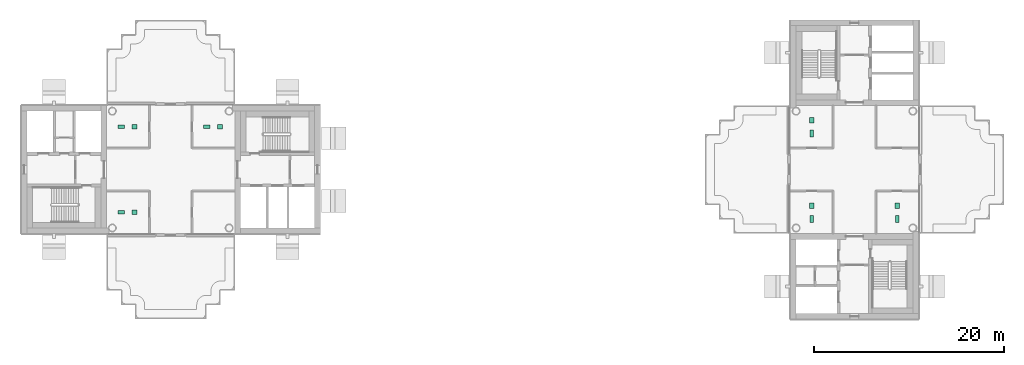
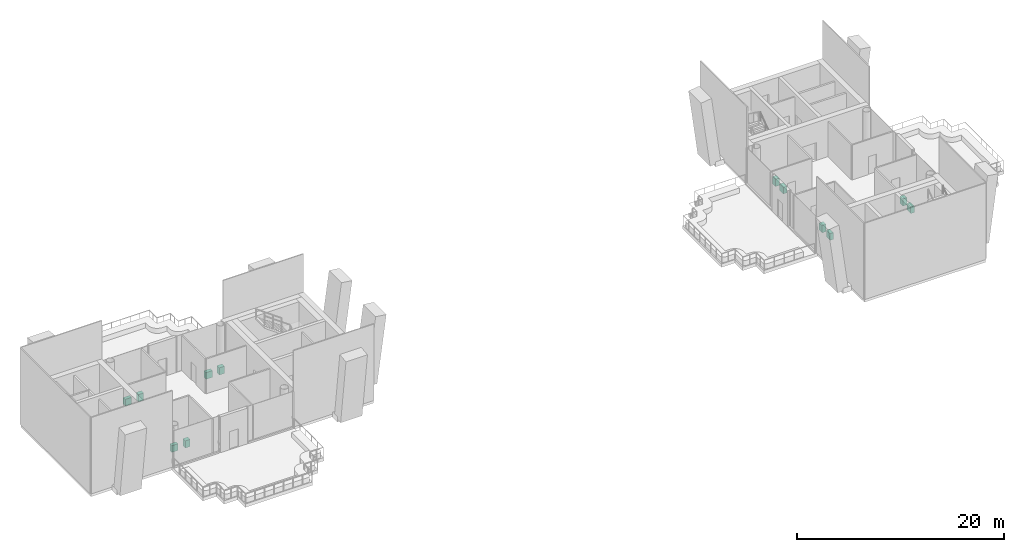
# One storey, part 17 of 17: 12 sanitary terminals.
"""IFC4 building model written with IfcOpenShell, lengths in metres."""

import ifcopenshell
import ifcopenshell.guid

model = None  # the IFC model being written
_history = None  # IfcOwnerHistory: only IFC2X3 demands one
_inside = {}  # id of a spatial element -> (the spatial element, [elements in it])
_under = {}  # id of a project, library or spatial element -> (it, [spatial elements below it])
_declared = {}  # id of a project -> (the project, [libraries it declares])
_typed = {}  # id of a type object -> (the type object, [elements of that type])
_made_of = {}  # id of a material, layer set ... -> (it, [elements and type objects made of it])


def new_model(schema):
    """Start an empty IFC model of exactly this schema.

    Asked for "IFC4X3", IfcOpenShell would pick the latest addendum, in which some entities
    have other attributes; the version numbers below select the first issue.
    IFC2X3 requires an IfcOwnerHistory on every rooted entity: one is made here for all.
    """
    global model, _history
    if schema == "IFC4X3":
        model = ifcopenshell.file(schema_version=(4, 3, 0, 0))
    else:
        model = ifcopenshell.file(schema=schema)
    _inside.clear()
    _under.clear()
    _declared.clear()
    _typed.clear()
    _made_of.clear()
    _history = None
    if model.schema == "IFC2X3":
        org = make("IfcOrganization", Name="unknown")
        user = make(
            "IfcPersonAndOrganization",
            ThePerson=make("IfcPerson", FamilyName="unknown"),
            TheOrganization=org,
        )
        app = make(
            "IfcApplication",
            ApplicationDeveloper=org,
            Version="unknown",
            ApplicationFullName="unknown",
            ApplicationIdentifier="unknown",
        )
        _history = make(
            "IfcOwnerHistory",
            OwningUser=user,
            OwningApplication=app,
            ChangeAction="ADDED",
            CreationDate=0,
        )
    return model


def make(cls, **values):
    """One entity of the class cls with the attributes given. An attribute that is None is left unset."""
    return model.create_entity(
        cls, **{name: value for name, value in values.items() if value is not None}
    )


def rooted(cls, **values):
    """An entity with a GlobalId (a new one), such as an element, a storey or a relation."""
    return make(cls, GlobalId=ifcopenshell.guid.new(), OwnerHistory=_history, **values)


def si_unit(unit_type, name, prefix=None):
    """IfcSIUnit, for example si_unit("LENGTHUNIT", "METRE", prefix="MILLI")."""
    return make("IfcSIUnit", UnitType=unit_type, Prefix=prefix, Name=name)


def assignment(units):
    """IfcUnitAssignment: the units of a project."""
    return None if units is None else make("IfcUnitAssignment", Units=units)


def point(xyz):
    """IfcCartesianPoint."""
    return None if xyz is None else make("IfcCartesianPoint", Coordinates=xyz)


def direction(xyz):
    """IfcDirection."""
    return None if xyz is None else make("IfcDirection", DirectionRatios=xyz)


def frame(location, z_axis=None, x_axis=None):
    """IfcAxis2Placement3D, a coordinate frame: its origin and axes. An axis left out is left unset."""
    return make(
        "IfcAxis2Placement3D",
        Location=point(location),
        Axis=direction(z_axis),
        RefDirection=direction(x_axis),
    )


def frame_2d(location, x_axis=None):
    """IfcAxis2Placement2D, a coordinate frame in the plane: its origin and x axis."""
    return make(
        "IfcAxis2Placement2D", Location=point(location), RefDirection=direction(x_axis)
    )


def origin():
    """The frame at (0, 0, 0) with its axes left unset."""
    return frame((0.0, 0.0, 0.0))


def origin_2d():
    """The frame at (0, 0) in the plane with its x axis left unset."""
    return frame_2d((0.0, 0.0))


def place(relative_to, where):
    """IfcLocalPlacement: puts the frame where relative to a parent placement (None: the world)."""
    return make(
        "IfcLocalPlacement", PlacementRelTo=relative_to, RelativePlacement=where
    )


def context(
    kind, dimensions, precision=None, world=None, true_north=None, identifier=None
):
    """IfcGeometricRepresentationContext, for example the 3D "Model" context."""
    return make(
        "IfcGeometricRepresentationContext",
        ContextIdentifier=identifier,
        ContextType=kind,
        CoordinateSpaceDimension=dimensions,
        Precision=precision,
        WorldCoordinateSystem=world,
        TrueNorth=true_north,
    )


def subcontext(parent, identifier, kind, view, scale=None):
    """IfcGeometricRepresentationSubContext, for example "Body" below "Model"."""
    return make(
        "IfcGeometricRepresentationSubContext",
        ContextIdentifier=identifier,
        ContextType=kind,
        ParentContext=parent,
        TargetScale=scale,
        TargetView=view,
    )


def project(units=None, contexts=None):
    """IfcProject with its units and contexts."""
    return rooted(
        "IfcProject",
        Name="project",
        RepresentationContexts=contexts,
        UnitsInContext=assignment(units),
    )


def spatial(cls, under=None, at=None, **own):
    """A site, building, storey or space (cls), placed at a placement, below another one or the project."""
    s = rooted(cls, ObjectPlacement=at, **own)
    if under is not None:
        _under.setdefault(under.id(), (under, []))[1].append(s)
    return s


def profile(cls, at=None, kind="AREA", **sizes):
    """A parametric profile (cls). Its sizes go by their IFC names, for example OverallWidth=200.0."""
    return make(cls, ProfileType=kind, Position=at, **sizes)


def rectangle(**sizes):
    """IfcRectangleProfileDef."""
    return profile("IfcRectangleProfileDef", **sizes)


def extrude(swept, where, along, depth):
    """IfcExtrudedAreaSolid: the profile swept, set in the frame where, extruded along a direction by depth."""
    return make(
        "IfcExtrudedAreaSolid",
        SweptArea=swept,
        Position=where,
        ExtrudedDirection=direction(along),
        Depth=depth,
    )


def shape(context_of_items, identifier, shape_type, items):
    """IfcShapeRepresentation: the items that make up one representation, for example the "Body"."""
    return make(
        "IfcShapeRepresentation",
        ContextOfItems=context_of_items,
        RepresentationIdentifier=identifier,
        RepresentationType=shape_type,
        Items=items,
    )


def material(Name=None, Category=None):
    """IfcMaterial."""
    return make("IfcMaterial", Name=Name, Category=Category)


def made_of(thing, what):
    """Note that an element or type object is made of a material, layer set ...; save() writes the relation."""
    if what is not None:
        _made_of.setdefault(what.id(), (what, []))[1].append(thing)
    return thing


def type_object(cls, material=None, **own):
    """A type object (cls), such as IfcWallType, which elements share."""
    return made_of(rooted(cls, **own), material)


def element(
    cls,
    number,
    at=None,
    inside=None,
    cuts=None,
    type_object=None,
    material=None,
    context=None,
    identifier="Body",
    shape_type=None,
    held_by="IfcProductDefinitionShape",
    body=None,
    shapes=None,
    **own,
):
    """One element of the class cls, such as IfcWall. Its Tag is "e" and its number.

    at: its placement. inside: the storey or other place that contains it. cuts: it is an
    opening in that element (IfcRelVoidsElement). A single representation is given by context,
    identifier, shape_type and body (its items); several are given by shapes. held_by: the class
    of the entity that holds the representations. save() writes the other relations.
    """
    e = rooted(cls, Tag="e%d" % number, ObjectPlacement=at, **own)
    if body is not None:
        shapes = [shape(context, identifier, shape_type, body)]
    if shapes is not None:
        e.Representation = make(held_by, Representations=shapes)
    if inside is not None:
        _inside.setdefault(inside.id(), (inside, []))[1].append(e)
    if cuts is not None:
        rooted(
            "IfcRelVoidsElement", RelatingBuildingElement=cuts, RelatedOpeningElement=e
        )
    if type_object is not None:
        _typed.setdefault(type_object.id(), (type_object, []))[1].append(e)
    return made_of(e, material)


def aggregate(whole, parts):
    """IfcRelAggregates: a whole, such as a stair, and the parts it consists of."""
    return rooted("IfcRelAggregates", RelatingObject=whole, RelatedObjects=parts)


def save(model, path):
    """Write the relations noted so far, then the file.

    IfcRelAggregates (storeys below a building ...), IfcRelContainedInSpatialStructure (elements
    in a storey), IfcRelDefinesByType, IfcRelAssociatesMaterial and IfcRelDeclares: one each for
    every whole, place, type object, material and project.
    """
    for whole, parts in _under.values():
        aggregate(whole, parts)
    for where, things in _inside.values():
        rooted(
            "IfcRelContainedInSpatialStructure",
            RelatedElements=things,
            RelatingStructure=where,
        )
    for kind, things in _typed.values():
        rooted("IfcRelDefinesByType", RelatedObjects=things, RelatingType=kind)
    for what, things in _made_of.values():
        rooted("IfcRelAssociatesMaterial", RelatedObjects=things, RelatingMaterial=what)
    for by, libraries in _declared.values():
        rooted("IfcRelDeclares", RelatingContext=by, RelatedDefinitions=libraries)
    model.write(path)


model = new_model("IFC4")

# Units and contexts
model_context = context("Model", 3, precision=1e-05, world=origin(), true_north=direction((0.0, 1.0)))
body_context = subcontext(model_context, "Body", "Model", "MODEL_VIEW")
ifc_project = project(units=[si_unit("LENGTHUNIT", "METRE"), si_unit("AREAUNIT", "SQUARE_METRE"), si_unit("VOLUMEUNIT", "CUBIC_METRE"), si_unit("PLANEANGLEUNIT", "RADIAN"), si_unit("MASSUNIT", "GRAM", prefix="KILO")], contexts=[model_context])

# Site, building, storey
site_placement = place(None, origin())
site = spatial("IfcSite", under=ifc_project, at=site_placement, CompositionType="ELEMENT")
building_placement = place(site_placement, origin())
building = spatial("IfcBuilding", under=site, at=building_placement, Name="Ipe Terrace Towers", CompositionType="ELEMENT")
storey_placement = place(building_placement, frame((0.0, 0.0, 246.89990234375)))
storey = spatial("IfcBuildingStorey", under=building, at=storey_placement, Name="L68", CompositionType="ELEMENT", Elevation=246.89990234375)

# Sanitary terminals
ifc_material_1 = material(Name="Vitreous china", Category="ceramic")
sanitary_terminal_type_1 = type_object("IfcSanitaryTerminalType", Name="Wash basin", PredefinedType="WASHHANDBASIN", material=ifc_material_1)
for number, where, z_axis, x_axis, name in (
    (1, (-30.800048828125, 4.5, 0.0), (0.0, 0.0, 1.0), (1.0, 0.0, 0.0), "Wash basin"),
    (2, (-39.800048828125, 4.5, 0.0), (0.0, 0.0, 1.0), (1.0, 0.0, 0.0), "Wash basin"),
    (3, (-39.800048828125, -4.5, 0.0), (0.0, 0.0, 1.0), (1.0, 0.0, 0.0), "Wash basin"),
    (4, (31.5, 5.199951171875, 0.0), (0.0, 0.0, 1.0), (0.0, 1.0, 0.0), "Wash basin"),
    (5, (31.5, -3.800048828125, 0.0), (0.0, 0.0, 1.0), (0.0, 1.0, 0.0), "Wash basin"),
    (6, (40.5, -3.800048828125, 0.0), (0.0, 0.0, 1.0), (0.0, 1.0, 0.0), "Wash basin"),
):
    element("IfcSanitaryTerminal", number, at=place(storey_placement, frame(where, z_axis=z_axis, x_axis=x_axis)), inside=storey, type_object=sanitary_terminal_type_1, Name=name, PredefinedType="WASHHANDBASIN", context=body_context, shape_type="SweptSolid", body=[
        extrude(rectangle(XDim=0.550048828125, YDim=0.449951171875, at=origin_2d()), origin(), (0.0, 0.0, 1.0), 0.85009765625),
    ])
ifc_material_2 = material(Name="Vitreous china", Category="ceramic")
sanitary_terminal_type_2 = type_object("IfcSanitaryTerminalType", Name="Water closet", PredefinedType="TOILETPAN", material=ifc_material_2)
for number, where, z_axis, x_axis, name in (
    (7, (-32.199951171875, 4.5, 0.0), (0.0, 0.0, 1.0), (1.0, 0.0, 0.0), "Water closet"),
    (8, (-41.199951171875, 4.5, 0.0), (0.0, 0.0, 1.0), (1.0, 0.0, 0.0), "Water closet"),
    (9, (-41.199951171875, -4.5, 0.0), (0.0, 0.0, 1.0), (1.0, 0.0, 0.0), "Water closet"),
    (10, (31.5, 3.800048828125, 0.0), (0.0, 0.0, 1.0), (0.0, 1.0, 0.0), "Water closet"),
    (11, (31.5, -5.199951171875, 0.0), (0.0, 0.0, 1.0), (0.0, 1.0, 0.0), "Water closet"),
    (12, (40.5, -5.199951171875, 0.0), (0.0, 0.0, 1.0), (0.0, 1.0, 0.0), "Water closet"),
):
    element("IfcSanitaryTerminal", number, at=place(storey_placement, frame(where, z_axis=z_axis, x_axis=x_axis)), inside=storey, type_object=sanitary_terminal_type_2, Name=name, PredefinedType="TOILETPAN", context=body_context, shape_type="SweptSolid", body=[
        extrude(rectangle(XDim=0.699951171875, YDim=0.39990234375, at=origin_2d()), origin(), (0.0, 0.0, 1.0), 0.780029296875),
    ])

save(model, "model.ifc")
